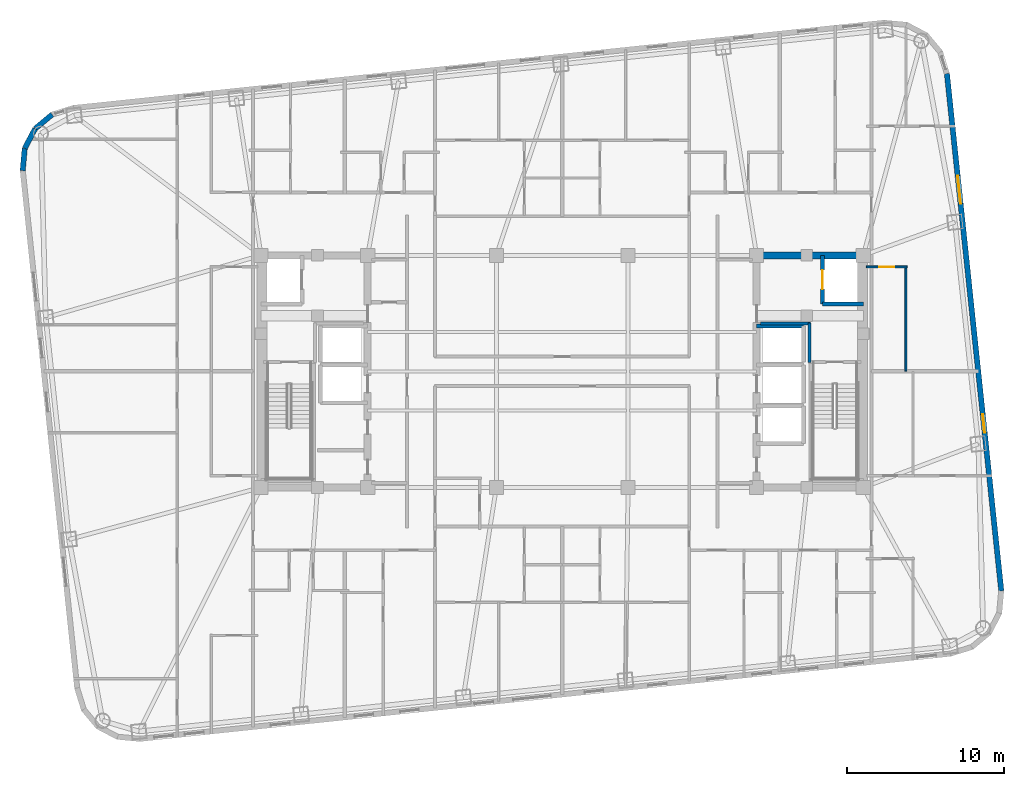
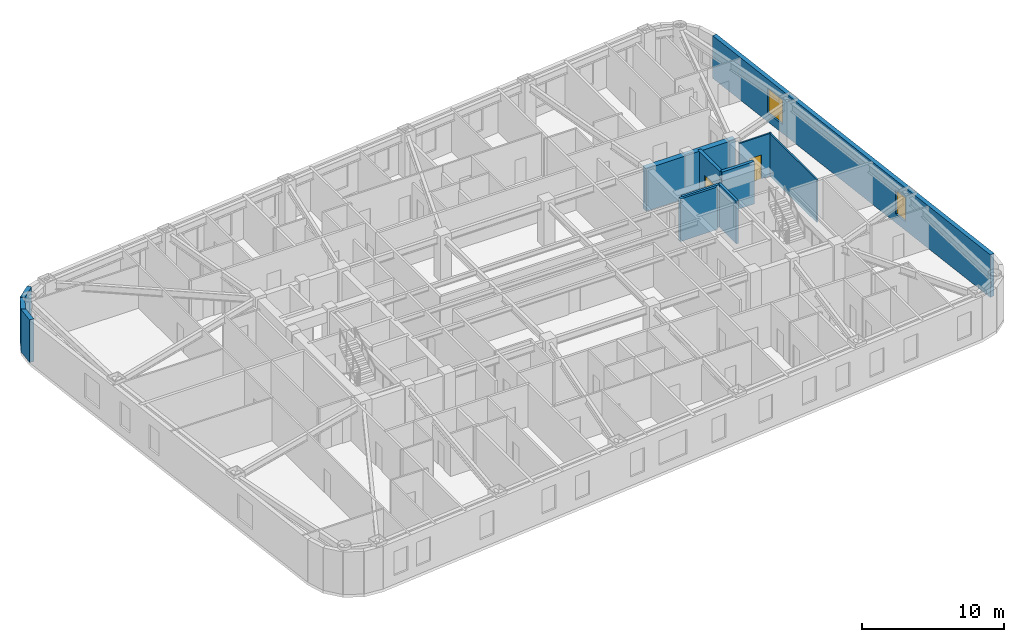
# One storey, part 7 of 12: 12 walls, 2 doors, 2 windows, 4 openings.
"""IFC4 building model written with IfcOpenShell, lengths in metres."""

from ifc_helpers import new_model, si_unit, direction, frame, frame_2d, origin, place, context, subcontext, project, spatial, rectangle, extrude, material, layer, layer_set, type_object, element, fill, save


model = new_model("IFC4")

# Units and contexts
model_context = context("Model", 3, precision=1e-05, world=origin(), true_north=direction((0.0, 1.0)))
body_context = subcontext(model_context, "Body", "Model", "MODEL_VIEW")
ifc_project = project(units=[si_unit("LENGTHUNIT", "METRE"), si_unit("AREAUNIT", "SQUARE_METRE"), si_unit("VOLUMEUNIT", "CUBIC_METRE"), si_unit("PLANEANGLEUNIT", "RADIAN"), si_unit("MASSUNIT", "GRAM", prefix="KILO")], contexts=[model_context])

# Site, building, storey
site_placement = place(None, origin())
site = spatial("IfcSite", under=ifc_project, at=site_placement, CompositionType="ELEMENT")
building_placement = place(site_placement, origin())
building = spatial("IfcBuilding", under=site, at=building_placement, Name="Voryun Gate Residences", CompositionType="ELEMENT")
storey_placement = place(building_placement, frame((0.0, 0.0, 152.10009765625)))
storey = spatial("IfcBuildingStorey", under=building, at=storey_placement, Name="L37", CompositionType="ELEMENT", Elevation=152.10009765625)

# Walls
ifc_material_1 = material(Name="Concrete C50/60", Category="concrete")
ifc_layer_1 = layer(ifc_material_1, 0.449951171875, Name="CW_CORE_450")
ifc_layer_set_1 = layer_set([ifc_layer_1], Name="Concrete C50/60")
wall_type_1 = type_object("IfcWallType", Name="CW_CORE_450", PredefinedType="SHEAR", material=ifc_layer_set_1)
wall_1_placement = place(storey_placement, frame((12.175048828125, 7.39990234375, 0.0), z_axis=(0.0, 0.0, 1.0), x_axis=(1.0, 0.0, 0.0)))
element("IfcWall", 1, at=wall_1_placement, inside=storey, type_object=wall_type_1, Name="L37 Core shear wall CW-L37-EN", PredefinedType="SHEAR", context=body_context, shape_type="SweptSolid", body=[
    extrude(rectangle(XDim=7.25, YDim=0.449951171875, at=frame_2d((3.625, 0.0))), origin(), (0.0, 0.0, 1.0), 3.64990234375),
])
ifc_material_2 = material(Name="Charcoal terracotta masonry", Category="masonry")
ifc_layer_2 = layer(ifc_material_2, 0.340087890625, Name="W_EXT_TERRACOTTA_340")
ifc_layer_set_2 = layer_set([ifc_layer_2], Name="Charcoal terracotta masonry")
wall_type_2 = type_object("IfcWallType", Name="W_EXT_TERRACOTTA_340", PredefinedType="ELEMENTEDWALL", material=ifc_layer_set_2)
wall_2_placement = place(storey_placement, frame((-34.401123046875, 12.795166015625, 0.0), z_axis=(0.0, 0.0, 1.0), x_axis=(0.091534682358, 0.995801888894, 0.0)))
element("IfcWall", 2, at=wall_2_placement, inside=storey, type_object=wall_type_2, Name="Exterior wall WEXT-L37-07", PredefinedType="ELEMENTEDWALL", context=body_context, shape_type="SweptSolid", body=[
    extrude(rectangle(XDim=1.432373046875, YDim=0.340087890625, at=frame_2d((0.71630859375, 0.0))), origin(), (0.0, 0.0, 1.0), 3.64990234375),
])
for number, where, z_axis, x_axis, name in (
    (3, (-34.27001953125, 14.221435546875, 0.0), (0.0, 0.0, 1.0), (0.465682431293, 0.884951904447, 0.0), "Exterior wall WEXT-L37-08"),
    (4, (-33.611083984375, 15.4736328125, 0.0), (0.0, 0.0, 1.0), (0.768843196093, 0.639437361921, 0.0), "Exterior wall WEXT-L37-09"),
):
    element("IfcWall", number, at=place(storey_placement, frame(where, z_axis=z_axis, x_axis=x_axis)), inside=storey, type_object=wall_type_2, Name=name, PredefinedType="ELEMENTEDWALL", context=body_context, shape_type="SweptSolid", body=[
        extrude(rectangle(XDim=1.4150390625, YDim=0.340087890625, at=frame_2d((0.70751953125, 0.0))), origin(), (0.0, 0.0, 1.0), 3.64990234375),
    ])

# Wall, openings, windows
wall_3_placement = place(storey_placement, frame((24.5341796875, 18.989501953125, 0.0), z_axis=(0.0, 0.0, 1.0), x_axis=(0.104534959766, -0.994521212537, 0.0)))
wall_3 = element("IfcWall", 5, at=wall_3_placement, inside=storey, type_object=wall_type_2, Name="Exterior wall WEXT-L37-16", PredefinedType="ELEMENTEDWALL", context=body_context, shape_type="SweptSolid", body=[
    extrude(rectangle(XDim=33.166259765625, YDim=0.340087890625, at=frame_2d((16.5830078125, 0.0))), origin(), (0.0, 0.0, 1.0), 3.64990234375),
])
opening_1_placement = place(wall_3_placement, frame((6.54150390625, 0.0, 0.75)))
opening_1 = element("IfcOpeningElement", 6, at=opening_1_placement, cuts=wall_3, Name="Opening WN1", PredefinedType="OPENING", context=body_context, shape_type="SweptSolid", body=[
    extrude(rectangle(XDim=1.800048828125, YDim=2.10009765625, at=frame_2d((0.89990234375, 1.050048828125))), frame((0.0, 0.179931640625, 0.0), z_axis=(0.0, -1.0, 0.0), x_axis=(1.0, 0.0, 0.0)), (0.0, 0.0, 1.0), 0.360107421875),
])
opening_2_placement = place(wall_3_placement, frame((21.840087890625, 0.0, 0.75)))
opening_2 = element("IfcOpeningElement", 7, at=opening_2_placement, cuts=wall_3, Name="Opening WN6", PredefinedType="OPENING", context=body_context, shape_type="SweptSolid", body=[
    extrude(rectangle(XDim=1.199951171875, YDim=2.050048828125, at=frame_2d((0.60009765625, 1.02490234375))), frame((0.0, 0.179931640625, 0.0), z_axis=(0.0, -1.0, 0.0), x_axis=(1.0, 0.0, 0.0)), (0.0, 0.0, 1.0), 0.360107421875),
])
ifc_material_3 = material(Name="Laminated low-E glass", Category="glass")
window_type_1 = type_object("IfcWindowType", Name="WN_POD_SLOT_1200", PartitioningType="SINGLE_PANEL", PredefinedType="WINDOW", material=ifc_material_3)
window_1_placement = place(opening_2_placement, origin())
window_1 = element("IfcWindow", 8, at=window_1_placement, inside=storey, type_object=window_type_1, Name="Window WN-L37-DWFIX-27", OverallHeight=2.050048828125, OverallWidth=1.199951171875, PartitioningType="SINGLE_PANEL", PredefinedType="WINDOW", context=body_context, shape_type="SweptSolid", body=[
    extrude(rectangle(XDim=1.199951171875, YDim=2.050048828125, at=frame_2d((0.60009765625, 1.02490234375))), frame((0.0, 0.030029296875, 0.0), z_axis=(0.0, -1.0, 0.0), x_axis=(1.0, 0.0, 0.0)), (0.0, 0.0, 1.0), 0.06005859375),
])
fill(opening_2, window_1)
ifc_material_4 = material(Name="Laminated low-E glass", Category="glass")
window_type_2 = type_object("IfcWindowType", Name="WN_RES_PUNCH_1800", PartitioningType="SINGLE_PANEL", PredefinedType="WINDOW", material=ifc_material_4)
window_2_placement = place(opening_1_placement, origin())
window_2 = element("IfcWindow", 9, at=window_2_placement, inside=storey, type_object=window_type_2, Name="Window WN-WEXT-L37-16-01", OverallHeight=2.10009765625, OverallWidth=1.800048828125, PartitioningType="SINGLE_PANEL", PredefinedType="WINDOW", context=body_context, shape_type="SweptSolid", body=[
    extrude(rectangle(XDim=1.800048828125, YDim=2.10009765625, at=frame_2d((0.89990234375, 1.050048828125))), frame((0.0, 0.030029296875, 0.0), z_axis=(0.0, -1.0, 0.0), x_axis=(1.0, 0.0, 0.0)), (0.0, 0.0, 1.0), 0.06005859375),
])
fill(opening_1, window_2)

# Walls
ifc_material_5 = material(Name="Concrete C40/50", Category="concrete")
ifc_layer_3 = layer(ifc_material_5, 0.199951171875, Name="W_FF_LOBBY_200")
ifc_layer_set_3 = layer_set([ifc_layer_3], Name="Concrete C40/50")
wall_type_3 = type_object("IfcWallType", Name="W_FF_LOBBY_200", PredefinedType="PARTITIONING", material=ifc_layer_set_3)
wall_4_placement = place(storey_placement, frame((15.760009765625, 0.580078125, 0.0), z_axis=(0.0, 0.0, 1.0), x_axis=(0.0, 1.0, 0.0)))
element("IfcWall", 10, at=wall_4_placement, inside=storey, type_object=wall_type_3, Name="Partition wall WP-L37-FFP0-E", PredefinedType="PARTITIONING", context=body_context, shape_type="SweptSolid", body=[
    extrude(rectangle(XDim=2.52001953125, YDim=0.199951171875, at=frame_2d((1.260009765625, 0.0))), origin(), (0.0, 0.0, 1.0), 3.64990234375),
])
wall_5_placement = place(storey_placement, frame((12.659912109375, 3.06005859375, 0.0), z_axis=(0.0, 0.0, 1.0), x_axis=(1.0, 0.0, 0.0)))
element("IfcWall", 11, at=wall_5_placement, inside=storey, type_object=wall_type_3, Name="Partition wall WP-L37-FFPS-E", PredefinedType="PARTITIONING", context=body_context, shape_type="SweptSolid", body=[
    extrude(rectangle(XDim=3.16015625, YDim=0.199951171875, at=frame_2d((1.580078125, 0.0))), origin(), (0.0, 0.0, 1.0), 3.64990234375),
])
ifc_material_6 = material(Name="Concrete C50/60", Category="concrete")
ifc_layer_4 = layer(ifc_material_6, 0.25, Name="W_SHAFT_RC250")
ifc_layer_set_4 = layer_set([ifc_layer_4], Name="Concrete C50/60")
wall_type_4 = type_object("IfcWallType", Name="W_SHAFT_RC250", PredefinedType="SOLIDWALL", material=ifc_layer_set_4)
wall_6_placement = place(storey_placement, frame((16.60009765625, 4.300048828125, 0.0), z_axis=(0.0, 0.0, 1.0), x_axis=(1.0, 0.0, 0.0)))
element("IfcWall", 12, at=wall_6_placement, inside=storey, type_object=wall_type_4, Name="Lift shaft wall WSH-L37-EL-FF-E1-S", PredefinedType="SOLIDWALL", context=body_context, shape_type="SweptSolid", body=[
    extrude(rectangle(XDim=2.599853515625, YDim=0.25, at=frame_2d((1.2998046875, 0.0))), origin(), (0.0, 0.0, 1.0), 3.64990234375),
])

# Wall, opening, door
wall_7_placement = place(storey_placement, frame((16.60009765625, 7.39990234375, 0.0), z_axis=(0.0, 0.0, 1.0), x_axis=(0.0, -1.0, 0.0)))
wall_7 = element("IfcWall", 13, at=wall_7_placement, inside=storey, type_object=wall_type_4, Name="Lift shaft wall WSH-L37-EL-FF-E1-W", PredefinedType="SOLIDWALL", context=body_context, shape_type="SweptSolid", body=[
    extrude(rectangle(XDim=3.099853515625, YDim=0.25, at=frame_2d((1.5498046875, 0.0))), origin(), (0.0, 0.0, 1.0), 3.64990234375),
])
opening_3_placement = place(wall_7_placement, frame((0.949951171875, 0.0, 0.0)))
opening_3 = element("IfcOpeningElement", 14, at=opening_3_placement, cuts=wall_7, Name="Opening LD1", PredefinedType="OPENING", context=body_context, shape_type="SweptSolid", body=[
    extrude(rectangle(XDim=1.199951171875, YDim=2.050048828125, at=frame_2d((0.60009765625, 1.02490234375))), frame((0.0, 0.135009765625, 0.0), z_axis=(0.0, -1.0, 0.0), x_axis=(1.0, 0.0, 0.0)), (0.0, 0.0, 1.0), 0.27001953125),
])
ifc_material_7 = material(Name="Anodised aluminium", Category="aluminium")
door_type_1 = type_object("IfcDoorType", Name="DR_LD_FF_1200", OperationType="NOTDEFINED", PredefinedType="DOOR", material=ifc_material_7)
door_1_placement = place(opening_3_placement, origin())
door_1 = element("IfcDoor", 15, at=door_1_placement, inside=storey, type_object=door_type_1, Name="Lift EL-FF-E1 sliding landing door L37", OperationType="SLIDING_TO_LEFT", OverallHeight=2.050048828125, OverallWidth=1.199951171875, PredefinedType="DOOR", context=body_context, shape_type="SweptSolid", body=[
    extrude(rectangle(XDim=1.199951171875, YDim=2.050048828125, at=frame_2d((0.60009765625, 1.02490234375))), frame((0.0, 0.02490234375, 0.0), z_axis=(0.0, -1.0, 0.0), x_axis=(1.0, 0.0, 0.0)), (0.0, 0.0, 1.0), 0.050048828125),
])
fill(opening_3, door_1)

# Wall
wall_8_placement = place(storey_placement, frame((15.39990234375, 2.89990234375, 0.0), z_axis=(0.0, 0.0, 1.0), x_axis=(-1.0, 0.0, 0.0)))
element("IfcWall", 16, at=wall_8_placement, inside=storey, type_object=wall_type_4, Name="Lift shaft wall WSH-L37-EL-P8-N", PredefinedType="SOLIDWALL", context=body_context, shape_type="SweptSolid", body=[
    extrude(rectangle(XDim=3.0, YDim=0.25, at=frame_2d((1.5, 0.0))), origin(), (0.0, 0.0, 1.0), 3.64990234375),
])

# Wall, opening, door
ifc_material_8 = material(Name="Gypsum acoustic partition")
ifc_layer_5 = layer(ifc_material_8, 0.125, Name="W_UNIT_PART_125")
ifc_layer_set_5 = layer_set([ifc_layer_5], Name="Gypsum acoustic partition")
wall_type_5 = type_object("IfcWallType", Name="W_UNIT_PART_125", PredefinedType="PARTITIONING", material=ifc_layer_set_5)
wall_9_placement = place(storey_placement, frame((19.39990234375, 6.659912109375, 0.0), z_axis=(0.0, 0.0, 1.0), x_axis=(1.0, 0.0, 0.0)))
wall_9 = element("IfcWall", 17, at=wall_9_placement, inside=storey, type_object=wall_type_5, Name="Partition wall WP-L37-E2-IKA", PredefinedType="PARTITIONING", context=body_context, shape_type="SweptSolid", body=[
    extrude(rectangle(XDim=2.60009765625, YDim=0.125, at=frame_2d((1.300048828125, 0.0))), origin(), (0.0, 0.0, 1.0), 3.64990234375),
])
opening_4_placement = place(wall_9_placement, frame((0.824951171875, 0.0, 0.0)))
opening_4 = element("IfcOpeningElement", 18, at=opening_4_placement, cuts=wall_9, Name="Opening D-INT-1", PredefinedType="OPENING", context=body_context, shape_type="SweptSolid", body=[
    extrude(rectangle(XDim=0.949951171875, YDim=2.050048828125, at=frame_2d((0.47509765625, 1.02490234375))), frame((0.0, 0.072509765625, 0.0), z_axis=(0.0, -1.0, 0.0), x_axis=(1.0, 0.0, 0.0)), (0.0, 0.0, 1.0), 0.14501953125),
])
ifc_material_9 = material(Name="Architectural oak veneer")
door_type_2 = type_object("IfcDoorType", Name="DR_INT_ROOM_950", OperationType="NOTDEFINED", PredefinedType="DOOR", material=ifc_material_9)
door_2_placement = place(opening_4_placement, origin())
door_2 = element("IfcDoor", 19, at=door_2_placement, inside=storey, type_object=door_type_2, Name="Door DR-L37-E2-DK", OperationType="SINGLE_SWING_LEFT", OverallHeight=2.050048828125, OverallWidth=0.949951171875, PredefinedType="DOOR", context=body_context, shape_type="SweptSolid", body=[
    extrude(rectangle(XDim=0.949951171875, YDim=2.050048828125, at=frame_2d((0.47509765625, 1.02490234375))), frame((0.0, 0.02490234375, 0.0), z_axis=(0.0, -1.0, 0.0), x_axis=(1.0, 0.0, 0.0)), (0.0, 0.0, 1.0), 0.050048828125),
])
fill(opening_4, door_2)

# Wall
wall_10_placement = place(storey_placement, frame((21.919921875, 0.02001953125, 0.0), z_axis=(0.0, 0.0, 1.0), x_axis=(0.0, 1.0, 0.0)))
element("IfcWall", 20, at=wall_10_placement, inside=storey, type_object=wall_type_5, Name="Partition wall WP-L37-E2-VTA", PredefinedType="PARTITIONING", context=body_context, shape_type="SweptSolid", body=[
    extrude(rectangle(XDim=6.719970703125, YDim=0.125, at=frame_2d((3.35986328125, 0.0))), origin(), (0.0, 0.0, 1.0), 3.64990234375),
])

save(model, "model.ifc")
